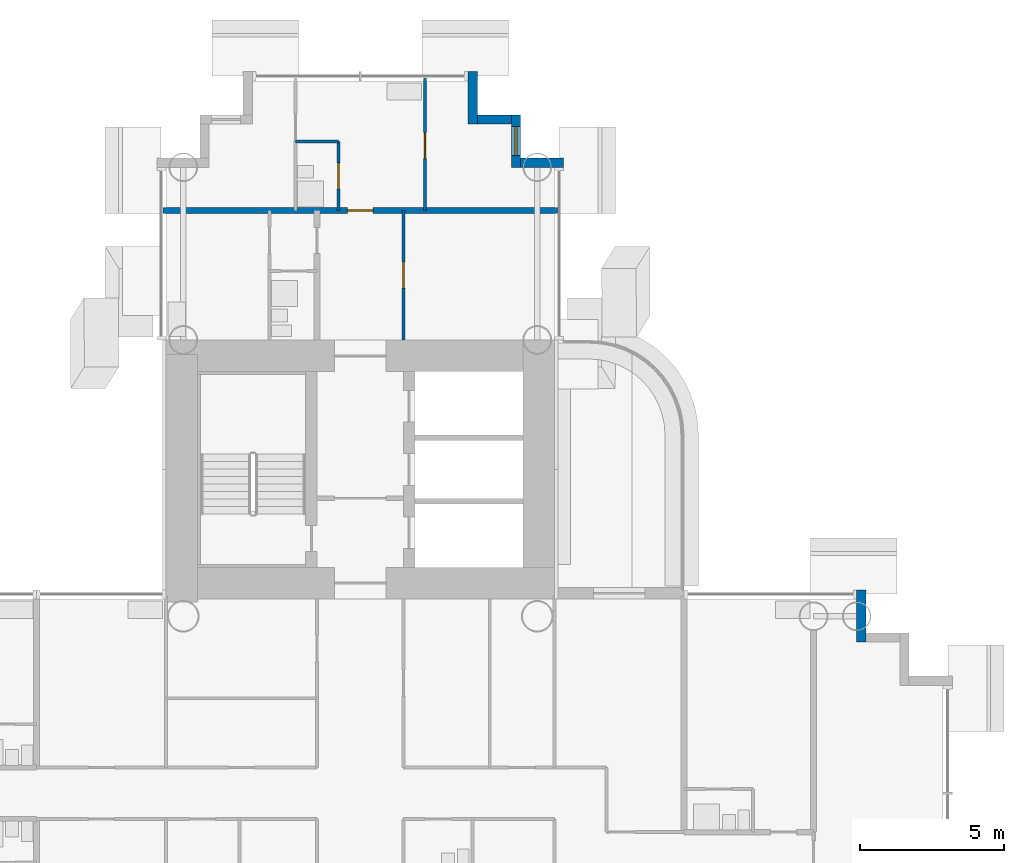
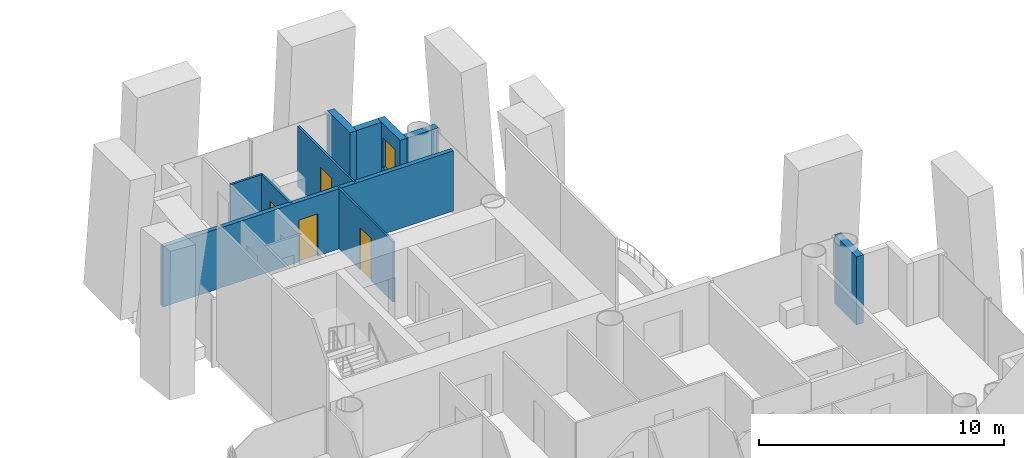
# One storey, part 17 of 24: 10 walls, 4 doors, 1 window, 5 openings.
"""IFC4 building model written with IfcOpenShell, lengths in metres."""

import ifcopenshell
import ifcopenshell.guid

model = None  # the IFC model being written
_history = None  # IfcOwnerHistory: only IFC2X3 demands one
_inside = {}  # id of a spatial element -> (the spatial element, [elements in it])
_under = {}  # id of a project, library or spatial element -> (it, [spatial elements below it])
_declared = {}  # id of a project -> (the project, [libraries it declares])
_typed = {}  # id of a type object -> (the type object, [elements of that type])
_made_of = {}  # id of a material, layer set ... -> (it, [elements and type objects made of it])


def new_model(schema):
    """Start an empty IFC model of exactly this schema.

    Asked for "IFC4X3", IfcOpenShell would pick the latest addendum, in which some entities
    have other attributes; the version numbers below select the first issue.
    IFC2X3 requires an IfcOwnerHistory on every rooted entity: one is made here for all.
    """
    global model, _history
    if schema == "IFC4X3":
        model = ifcopenshell.file(schema_version=(4, 3, 0, 0))
    else:
        model = ifcopenshell.file(schema=schema)
    _inside.clear()
    _under.clear()
    _declared.clear()
    _typed.clear()
    _made_of.clear()
    _history = None
    if model.schema == "IFC2X3":
        org = make("IfcOrganization", Name="unknown")
        user = make(
            "IfcPersonAndOrganization",
            ThePerson=make("IfcPerson", FamilyName="unknown"),
            TheOrganization=org,
        )
        app = make(
            "IfcApplication",
            ApplicationDeveloper=org,
            Version="unknown",
            ApplicationFullName="unknown",
            ApplicationIdentifier="unknown",
        )
        _history = make(
            "IfcOwnerHistory",
            OwningUser=user,
            OwningApplication=app,
            ChangeAction="ADDED",
            CreationDate=0,
        )
    return model


def make(cls, **values):
    """One entity of the class cls with the attributes given. An attribute that is None is left unset."""
    return model.create_entity(
        cls, **{name: value for name, value in values.items() if value is not None}
    )


def rooted(cls, **values):
    """An entity with a GlobalId (a new one), such as an element, a storey or a relation."""
    return make(cls, GlobalId=ifcopenshell.guid.new(), OwnerHistory=_history, **values)


def si_unit(unit_type, name, prefix=None):
    """IfcSIUnit, for example si_unit("LENGTHUNIT", "METRE", prefix="MILLI")."""
    return make("IfcSIUnit", UnitType=unit_type, Prefix=prefix, Name=name)


def assignment(units):
    """IfcUnitAssignment: the units of a project."""
    return None if units is None else make("IfcUnitAssignment", Units=units)


def point(xyz):
    """IfcCartesianPoint."""
    return None if xyz is None else make("IfcCartesianPoint", Coordinates=xyz)


def direction(xyz):
    """IfcDirection."""
    return None if xyz is None else make("IfcDirection", DirectionRatios=xyz)


def frame(location, z_axis=None, x_axis=None):
    """IfcAxis2Placement3D, a coordinate frame: its origin and axes. An axis left out is left unset."""
    return make(
        "IfcAxis2Placement3D",
        Location=point(location),
        Axis=direction(z_axis),
        RefDirection=direction(x_axis),
    )


def frame_2d(location, x_axis=None):
    """IfcAxis2Placement2D, a coordinate frame in the plane: its origin and x axis."""
    return make(
        "IfcAxis2Placement2D", Location=point(location), RefDirection=direction(x_axis)
    )


def origin():
    """The frame at (0, 0, 0) with its axes left unset."""
    return frame((0.0, 0.0, 0.0))


def place(relative_to, where):
    """IfcLocalPlacement: puts the frame where relative to a parent placement (None: the world)."""
    return make(
        "IfcLocalPlacement", PlacementRelTo=relative_to, RelativePlacement=where
    )


def context(
    kind, dimensions, precision=None, world=None, true_north=None, identifier=None
):
    """IfcGeometricRepresentationContext, for example the 3D "Model" context."""
    return make(
        "IfcGeometricRepresentationContext",
        ContextIdentifier=identifier,
        ContextType=kind,
        CoordinateSpaceDimension=dimensions,
        Precision=precision,
        WorldCoordinateSystem=world,
        TrueNorth=true_north,
    )


def subcontext(parent, identifier, kind, view, scale=None):
    """IfcGeometricRepresentationSubContext, for example "Body" below "Model"."""
    return make(
        "IfcGeometricRepresentationSubContext",
        ContextIdentifier=identifier,
        ContextType=kind,
        ParentContext=parent,
        TargetScale=scale,
        TargetView=view,
    )


def project(units=None, contexts=None):
    """IfcProject with its units and contexts."""
    return rooted(
        "IfcProject",
        Name="project",
        RepresentationContexts=contexts,
        UnitsInContext=assignment(units),
    )


def spatial(cls, under=None, at=None, **own):
    """A site, building, storey or space (cls), placed at a placement, below another one or the project."""
    s = rooted(cls, ObjectPlacement=at, **own)
    if under is not None:
        _under.setdefault(under.id(), (under, []))[1].append(s)
    return s


def profile(cls, at=None, kind="AREA", **sizes):
    """A parametric profile (cls). Its sizes go by their IFC names, for example OverallWidth=200.0."""
    return make(cls, ProfileType=kind, Position=at, **sizes)


def rectangle(**sizes):
    """IfcRectangleProfileDef."""
    return profile("IfcRectangleProfileDef", **sizes)


def extrude(swept, where, along, depth):
    """IfcExtrudedAreaSolid: the profile swept, set in the frame where, extruded along a direction by depth."""
    return make(
        "IfcExtrudedAreaSolid",
        SweptArea=swept,
        Position=where,
        ExtrudedDirection=direction(along),
        Depth=depth,
    )


def shape(context_of_items, identifier, shape_type, items):
    """IfcShapeRepresentation: the items that make up one representation, for example the "Body"."""
    return make(
        "IfcShapeRepresentation",
        ContextOfItems=context_of_items,
        RepresentationIdentifier=identifier,
        RepresentationType=shape_type,
        Items=items,
    )


def material(Name=None, Category=None):
    """IfcMaterial."""
    return make("IfcMaterial", Name=Name, Category=Category)


def layer(
    of_material, thickness, ventilated=None, Name=None, Category=None, Priority=None
):
    """IfcMaterialLayer: one layer of a wall or slab, of a material (None: an air gap)."""
    return make(
        "IfcMaterialLayer",
        Material=of_material,
        LayerThickness=thickness,
        IsVentilated=ventilated,
        Name=Name,
        Category=Category,
        Priority=Priority,
    )


def layer_set(layers, Name=None):
    """IfcMaterialLayerSet."""
    return make("IfcMaterialLayerSet", MaterialLayers=layers, LayerSetName=Name)


def made_of(thing, what):
    """Note that an element or type object is made of a material, layer set ...; save() writes the relation."""
    if what is not None:
        _made_of.setdefault(what.id(), (what, []))[1].append(thing)
    return thing


def type_object(cls, material=None, **own):
    """A type object (cls), such as IfcWallType, which elements share."""
    return made_of(rooted(cls, **own), material)


def element(
    cls,
    number,
    at=None,
    inside=None,
    cuts=None,
    type_object=None,
    material=None,
    context=None,
    identifier="Body",
    shape_type=None,
    held_by="IfcProductDefinitionShape",
    body=None,
    shapes=None,
    **own,
):
    """One element of the class cls, such as IfcWall. Its Tag is "e" and its number.

    at: its placement. inside: the storey or other place that contains it. cuts: it is an
    opening in that element (IfcRelVoidsElement). A single representation is given by context,
    identifier, shape_type and body (its items); several are given by shapes. held_by: the class
    of the entity that holds the representations. save() writes the other relations.
    """
    e = rooted(cls, Tag="e%d" % number, ObjectPlacement=at, **own)
    if body is not None:
        shapes = [shape(context, identifier, shape_type, body)]
    if shapes is not None:
        e.Representation = make(held_by, Representations=shapes)
    if inside is not None:
        _inside.setdefault(inside.id(), (inside, []))[1].append(e)
    if cuts is not None:
        rooted(
            "IfcRelVoidsElement", RelatingBuildingElement=cuts, RelatedOpeningElement=e
        )
    if type_object is not None:
        _typed.setdefault(type_object.id(), (type_object, []))[1].append(e)
    return made_of(e, material)


def fill(opening, filler):
    """IfcRelFillsElement: the door or window that sits in an opening."""
    return rooted(
        "IfcRelFillsElement",
        RelatingOpeningElement=opening,
        RelatedBuildingElement=filler,
    )


def aggregate(whole, parts):
    """IfcRelAggregates: a whole, such as a stair, and the parts it consists of."""
    return rooted("IfcRelAggregates", RelatingObject=whole, RelatedObjects=parts)


def save(model, path):
    """Write the relations noted so far, then the file.

    IfcRelAggregates (storeys below a building ...), IfcRelContainedInSpatialStructure (elements
    in a storey), IfcRelDefinesByType, IfcRelAssociatesMaterial and IfcRelDeclares: one each for
    every whole, place, type object, material and project.
    """
    for whole, parts in _under.values():
        aggregate(whole, parts)
    for where, things in _inside.values():
        rooted(
            "IfcRelContainedInSpatialStructure",
            RelatedElements=things,
            RelatingStructure=where,
        )
    for kind, things in _typed.values():
        rooted("IfcRelDefinesByType", RelatedObjects=things, RelatingType=kind)
    for what, things in _made_of.values():
        rooted("IfcRelAssociatesMaterial", RelatedObjects=things, RelatingMaterial=what)
    for by, libraries in _declared.values():
        rooted("IfcRelDeclares", RelatingContext=by, RelatedDefinitions=libraries)
    model.write(path)


model = new_model("IFC4")

# Units and contexts
model_context = context("Model", 3, precision=1e-05, world=origin(), true_north=direction((0.0, 1.0)))
body_context = subcontext(model_context, "Body", "Model", "MODEL_VIEW")
ifc_project = project(units=[si_unit("LENGTHUNIT", "METRE"), si_unit("AREAUNIT", "SQUARE_METRE"), si_unit("VOLUMEUNIT", "CUBIC_METRE"), si_unit("PLANEANGLEUNIT", "RADIAN"), si_unit("MASSUNIT", "GRAM", prefix="KILO")], contexts=[model_context])

# Site, building, storey
site_placement = place(None, origin())
site = spatial("IfcSite", under=ifc_project, at=site_placement, CompositionType="ELEMENT")
building_placement = place(site_placement, origin())
building = spatial("IfcBuilding", under=site, at=building_placement, Name="Ipe Terrace Towers", CompositionType="ELEMENT")
storey_placement = place(building_placement, frame((0.0, 0.0, 38.10009765625)))
storey = spatial("IfcBuildingStorey", under=building, at=storey_placement, Name="L09", CompositionType="ELEMENT", Elevation=38.10009765625)

# Walls
ifc_material_1 = material(Name="Concrete C40/50 with buff precast cladding", Category="concrete")
ifc_layer_1 = layer(ifc_material_1, 0.320068359375)
ifc_layer_set_1 = layer_set([ifc_layer_1], Name="BUFF CLADDING WALL 320")
wall_type_1 = type_object("IfcWallType", Name="BUFF CLADDING WALL 320", PredefinedType="STANDARD", material=ifc_layer_set_1)
wall_1_placement = place(storey_placement, frame((53.409912109375, 5.25, -0.300048828125), z_axis=(0.0, 0.0, 1.0), x_axis=(0.0, 1.0, 0.0)))
element("IfcWall", 1, at=wall_1_placement, inside=storey, type_object=wall_type_1, Name="T2-W-L09-16a wall", PredefinedType="STANDARD", context=body_context, shape_type="SweptSolid", body=[
    extrude(rectangle(XDim=1.820068359375, YDim=0.320068359375, at=frame_2d((0.91015625, 0.0))), origin(), (0.0, 0.0, 1.0), 3.39990234375),
])
wall_2_placement = place(storey_placement, frame((43.070068359375, 21.909912109375, -0.300048828125), z_axis=(0.0, 0.0, 1.0), x_axis=(-1.0, 0.0, 0.0)))
element("IfcWall", 2, at=wall_2_placement, inside=storey, type_object=wall_type_1, Name="T2-W-L09-21a wall", PredefinedType="STANDARD", context=body_context, shape_type="SweptSolid", body=[
    extrude(rectangle(XDim=1.5, YDim=0.320068359375, at=frame_2d((0.75, 0.0))), origin(), (0.0, 0.0, 1.0), 3.39990234375),
])

# Wall, opening, window
wall_3_placement = place(storey_placement, frame((41.409912109375, 21.75, -0.300048828125), z_axis=(0.0, 0.0, 1.0), x_axis=(0.0, 1.0, 0.0)))
wall_3 = element("IfcWall", 3, at=wall_3_placement, inside=storey, type_object=wall_type_1, Name="T2-W-L09-22a wall", PredefinedType="STANDARD", context=body_context, shape_type="SweptSolid", body=[
    extrude(rectangle(XDim=1.820068359375, YDim=0.320068359375, at=frame_2d((0.91015625, 0.0))), origin(), (0.0, 0.0, 1.0), 3.39990234375),
])
opening_1_placement = place(wall_3_placement, frame((0.409912109375, 0.0, 1.199951171875)))
opening_1 = element("IfcOpeningElement", 4, at=opening_1_placement, cuts=wall_3, Name="Opening T2-W-05-L09-02", PredefinedType="OPENING", context=body_context, shape_type="SweptSolid", body=[
    extrude(rectangle(XDim=1.0, YDim=1.5, at=frame_2d((0.5, 0.75))), frame((0.0, 0.169921875, 0.0), z_axis=(0.0, -1.0, 0.0), x_axis=(1.0, 0.0, 0.0)), (0.0, 0.0, 1.0), 0.340087890625),
])
ifc_material_2 = material(Name="Glass, clear laminated", Category="glass")
window_type = type_object("IfcWindowType", Name="DWELLING WINDOW 1000 x 1500", PartitioningType="SINGLE_PANEL", PredefinedType="WINDOW", material=ifc_material_2)
window_placement = place(opening_1_placement, origin())
window = element("IfcWindow", 5, at=window_placement, inside=storey, type_object=window_type, Name="W-05 window", OverallHeight=1.5, OverallWidth=1.0, PartitioningType="SINGLE_PANEL", PredefinedType="WINDOW", context=body_context, shape_type="SweptSolid", body=[
    extrude(rectangle(XDim=1.0, YDim=1.5, at=frame_2d((0.5, 0.75))), frame((0.0, 0.030029296875, 0.0), z_axis=(0.0, -1.0, 0.0), x_axis=(1.0, 0.0, 0.0)), (0.0, 0.0, 1.0), 0.06005859375),
])
fill(opening_1, window)

# Walls
wall_4_placement = place(storey_placement, frame((41.25, 23.409912109375, -0.300048828125), z_axis=(0.0, 0.0, 1.0), x_axis=(-1.0, 0.0, 0.0)))
element("IfcWall", 6, at=wall_4_placement, inside=storey, type_object=wall_type_1, Name="T2-W-L09-23a wall", PredefinedType="STANDARD", context=body_context, shape_type="SweptSolid", body=[
    extrude(rectangle(XDim=1.179931640625, YDim=0.320068359375, at=frame_2d((0.58984375, 0.0))), origin(), (0.0, 0.0, 1.0), 3.39990234375),
])
wall_5_placement = place(storey_placement, frame((39.909912109375, 23.25, -0.300048828125), z_axis=(0.0, 0.0, 1.0), x_axis=(0.0, 1.0, 0.0)))
element("IfcWall", 7, at=wall_5_placement, inside=storey, type_object=wall_type_1, Name="T2-W-L09-24a wall", PredefinedType="STANDARD", context=body_context, shape_type="SweptSolid", body=[
    extrude(rectangle(XDim=1.820068359375, YDim=0.320068359375, at=frame_2d((0.91015625, 0.0))), origin(), (0.0, 0.0, 1.0), 3.39990234375),
])
ifc_material_3 = material(Name="Gypsum board partition", Category="plasterboard")
ifc_layer_2 = layer(ifc_material_3, 0.10009765625)
ifc_layer_set_2 = layer_set([ifc_layer_2], Name="Gypsum board partition 100 mm")
wall_type_2 = type_object("IfcWallType", Name="Gypsum board partition 100 mm", PredefinedType="PARTITIONING", material=ifc_layer_set_2)
wall_6_placement = place(storey_placement, frame((35.25, 22.64990234375, 0.0), z_axis=(0.0, 0.0, 1.0), x_axis=(-1.0, 0.0, 0.0)))
element("IfcWall", 8, at=wall_6_placement, inside=storey, type_object=wall_type_2, Name="Gypsum board partition T2 L09 W20", PredefinedType="PARTITIONING", context=body_context, shape_type="SweptSolid", body=[
    extrude(rectangle(XDim=1.5, YDim=0.10009765625, at=frame_2d((0.75, 0.0))), origin(), (0.0, 0.0, 1.0), 3.0),
])

# Wall, opening, door
wall_7_placement = place(storey_placement, frame((38.25, 20.25, 0.0), z_axis=(0.0, 0.0, 1.0), x_axis=(0.0, 1.0, 0.0)))
wall_7 = element("IfcWall", 9, at=wall_7_placement, inside=storey, type_object=wall_type_2, Name="Gypsum board partition T2 L09 W31", PredefinedType="PARTITIONING", context=body_context, shape_type="SweptSolid", body=[
    extrude(rectangle(XDim=4.60009765625, YDim=0.10009765625, at=frame_2d((2.300048828125, 0.0))), origin(), (0.0, 0.0, 1.0), 3.0),
])
opening_2_placement = place(wall_7_placement, frame((1.800048828125, 0.0, 0.0)))
opening_2 = element("IfcOpeningElement", 10, at=opening_2_placement, cuts=wall_7, Name="Opening T2-Z1B-29", PredefinedType="OPENING", context=body_context, shape_type="SweptSolid", body=[
    extrude(rectangle(XDim=0.89990234375, YDim=2.10009765625, at=frame_2d((0.449951171875, 1.050048828125))), frame((0.0, 0.06005859375, 0.0), z_axis=(0.0, -1.0, 0.0), x_axis=(1.0, 0.0, 0.0)), (0.0, 0.0, 1.0), 0.1201171875),
])
ifc_material_4 = material(Name="Timber door leaf", Category="wood")
door_type_1 = type_object("IfcDoorType", Name="Bedroom door 900 x 2100", OperationType="NOTDEFINED", PredefinedType="DOOR", material=ifc_material_4)
door_1_placement = place(opening_2_placement, origin())
door_1 = element("IfcDoor", 11, at=door_1_placement, inside=storey, type_object=door_type_1, Name="Bedroom door T2-Z1B-29", OperationType="SINGLE_SWING_LEFT", OverallHeight=2.10009765625, OverallWidth=0.89990234375, PredefinedType="DOOR", context=body_context, shape_type="SweptSolid", body=[
    extrude(rectangle(XDim=0.89990234375, YDim=2.10009765625, at=frame_2d((0.449951171875, 1.050048828125))), frame((0.0, 0.02490234375, 0.0), z_axis=(0.0, -1.0, 0.0), x_axis=(1.0, 0.0, 0.0)), (0.0, 0.0, 1.0), 0.050048828125),
])
fill(opening_2, door_1)

wall_8_placement = place(storey_placement, frame((37.5, 15.75, 0.0), z_axis=(0.0, 0.0, 1.0), x_axis=(0.0, 1.0, 0.0)))
wall_8 = element("IfcWall", 12, at=wall_8_placement, inside=storey, type_object=wall_type_2, Name="Gypsum board partition T2 L09 W35", PredefinedType="PARTITIONING", context=body_context, shape_type="SweptSolid", body=[
    extrude(rectangle(XDim=4.5, YDim=0.10009765625, at=frame_2d((2.25, 0.0))), origin(), (0.0, 0.0, 1.0), 3.0),
])
opening_3_placement = place(wall_8_placement, frame((1.800048828125, 0.0, 0.0)))
opening_3 = element("IfcOpeningElement", 13, at=opening_3_placement, cuts=wall_8, Name="Opening T2-Z1B-25", PredefinedType="OPENING", context=body_context, shape_type="SweptSolid", body=[
    extrude(rectangle(XDim=0.89990234375, YDim=2.10009765625, at=frame_2d((0.449951171875, 1.050048828125))), frame((0.0, 0.06005859375, 0.0), z_axis=(0.0, -1.0, 0.0), x_axis=(1.0, 0.0, 0.0)), (0.0, 0.0, 1.0), 0.1201171875),
])
ifc_material_5 = material(Name="Timber door leaf", Category="wood")
door_type_2 = type_object("IfcDoorType", Name="Lounge door 900 x 2100", OperationType="NOTDEFINED", PredefinedType="DOOR", material=ifc_material_5)
door_2_placement = place(opening_3_placement, origin())
door_2 = element("IfcDoor", 14, at=door_2_placement, inside=storey, type_object=door_type_2, Name="Lounge door T2-Z1B-25", OperationType="SINGLE_SWING_RIGHT", OverallHeight=2.10009765625, OverallWidth=0.89990234375, PredefinedType="DOOR", context=body_context, shape_type="SweptSolid", body=[
    extrude(rectangle(XDim=0.89990234375, YDim=2.10009765625, at=frame_2d((0.449951171875, 1.050048828125))), frame((0.0, 0.02490234375, 0.0), z_axis=(0.0, -1.0, 0.0), x_axis=(1.0, 0.0, 0.0)), (0.0, 0.0, 1.0), 0.050048828125),
])
fill(opening_3, door_2)

wall_9_placement = place(storey_placement, frame((35.25, 20.25, 0.0), z_axis=(0.0, 0.0, 1.0), x_axis=(0.0, 1.0, 0.0)))
wall_9 = element("IfcWall", 15, at=wall_9_placement, inside=storey, type_object=wall_type_2, Name="Gypsum board partition T2 L09 W36", PredefinedType="PARTITIONING", context=body_context, shape_type="SweptSolid", body=[
    extrude(rectangle(XDim=2.39990234375, YDim=0.10009765625, at=frame_2d((1.199951171875, 0.0))), origin(), (0.0, 0.0, 1.0), 3.0),
])
opening_4_placement = place(wall_9_placement, frame((0.75, 0.0, 0.0)))
opening_4 = element("IfcOpeningElement", 16, at=opening_4_placement, cuts=wall_9, Name="Opening T2-Z1B-26", PredefinedType="OPENING", context=body_context, shape_type="SweptSolid", body=[
    extrude(rectangle(XDim=0.89990234375, YDim=2.10009765625, at=frame_2d((0.449951171875, 1.050048828125))), frame((0.0, 0.06005859375, 0.0), z_axis=(0.0, -1.0, 0.0), x_axis=(1.0, 0.0, 0.0)), (0.0, 0.0, 1.0), 0.1201171875),
])
ifc_material_6 = material(Name="Timber door leaf", Category="wood")
door_type_3 = type_object("IfcDoorType", Name="Bathroom door 900 x 2100", OperationType="NOTDEFINED", PredefinedType="DOOR", material=ifc_material_6)
door_3_placement = place(opening_4_placement, origin())
door_3 = element("IfcDoor", 17, at=door_3_placement, inside=storey, type_object=door_type_3, Name="Bathroom door T2-Z1B-26", OperationType="SINGLE_SWING_LEFT", OverallHeight=2.10009765625, OverallWidth=0.89990234375, PredefinedType="DOOR", context=body_context, shape_type="SweptSolid", body=[
    extrude(rectangle(XDim=0.89990234375, YDim=2.10009765625, at=frame_2d((0.449951171875, 1.050048828125))), frame((0.0, 0.02490234375, 0.0), z_axis=(0.0, -1.0, 0.0), x_axis=(1.0, 0.0, 0.0)), (0.0, 0.0, 1.0), 0.050048828125),
])
fill(opening_4, door_3)

ifc_material_7 = material(Name="Gypsum board party wall", Category="plasterboard")
ifc_layer_3 = layer(ifc_material_7, 0.199951171875)
ifc_layer_set_3 = layer_set([ifc_layer_3], Name="Gypsum board party wall 200 mm")
wall_type_3 = type_object("IfcWallType", Name="Gypsum board party wall 200 mm", PredefinedType="SOLIDWALL", material=ifc_layer_set_3)
wall_10_placement = place(storey_placement, frame((42.85009765625, 20.25, 0.0), z_axis=(0.0, 0.0, 1.0), x_axis=(-1.0, 0.0, 0.0)))
wall_10 = element("IfcWall", 18, at=wall_10_placement, inside=storey, type_object=wall_type_3, Name="Gypsum board party wall T2 L09 W19", PredefinedType="SOLIDWALL", context=body_context, shape_type="SweptSolid", body=[
    extrude(rectangle(XDim=13.7001953125, YDim=0.199951171875, at=frame_2d((6.85009765625, 0.0))), origin(), (0.0, 0.0, 1.0), 3.0),
])
opening_5_placement = place(wall_10_placement, frame((6.39990234375, 0.0, 0.0)))
opening_5 = element("IfcOpeningElement", 19, at=opening_5_placement, cuts=wall_10, Name="Opening T2-Z1B-27", PredefinedType="OPENING", context=body_context, shape_type="SweptSolid", body=[
    extrude(rectangle(XDim=0.89990234375, YDim=2.10009765625, at=frame_2d((0.449951171875, 1.050048828125))), frame((0.0, 0.10986328125, 0.0), z_axis=(0.0, -1.0, 0.0), x_axis=(1.0, 0.0, 0.0)), (0.0, 0.0, 1.0), 0.219970703125),
])
ifc_material_8 = material(Name="Fire-rated timber door leaf", Category="wood")
door_type_4 = type_object("IfcDoorType", Name="Flat entrance door 900 x 2100 FD30S", OperationType="NOTDEFINED", PredefinedType="DOOR", material=ifc_material_8)
door_4_placement = place(opening_5_placement, origin())
door_4 = element("IfcDoor", 20, at=door_4_placement, inside=storey, type_object=door_type_4, Name="Flat entrance door T2-Z1B-27", OperationType="SINGLE_SWING_RIGHT", OverallHeight=2.10009765625, OverallWidth=0.89990234375, PredefinedType="DOOR", context=body_context, shape_type="SweptSolid", body=[
    extrude(rectangle(XDim=0.89990234375, YDim=2.10009765625, at=frame_2d((0.449951171875, 1.050048828125))), frame((0.0, 0.02490234375, 0.0), z_axis=(0.0, -1.0, 0.0), x_axis=(1.0, 0.0, 0.0)), (0.0, 0.0, 1.0), 0.050048828125),
])
fill(opening_5, door_4)

save(model, "model.ifc")
